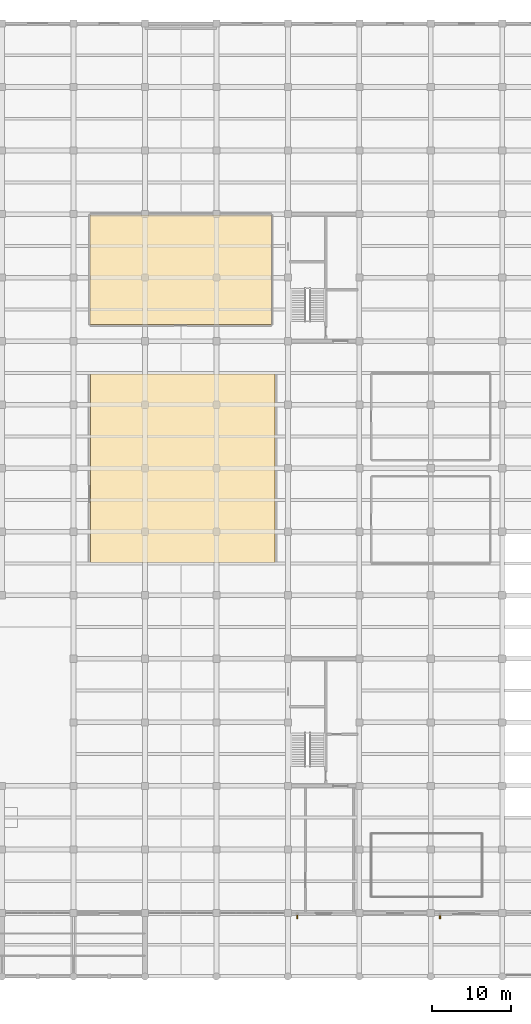
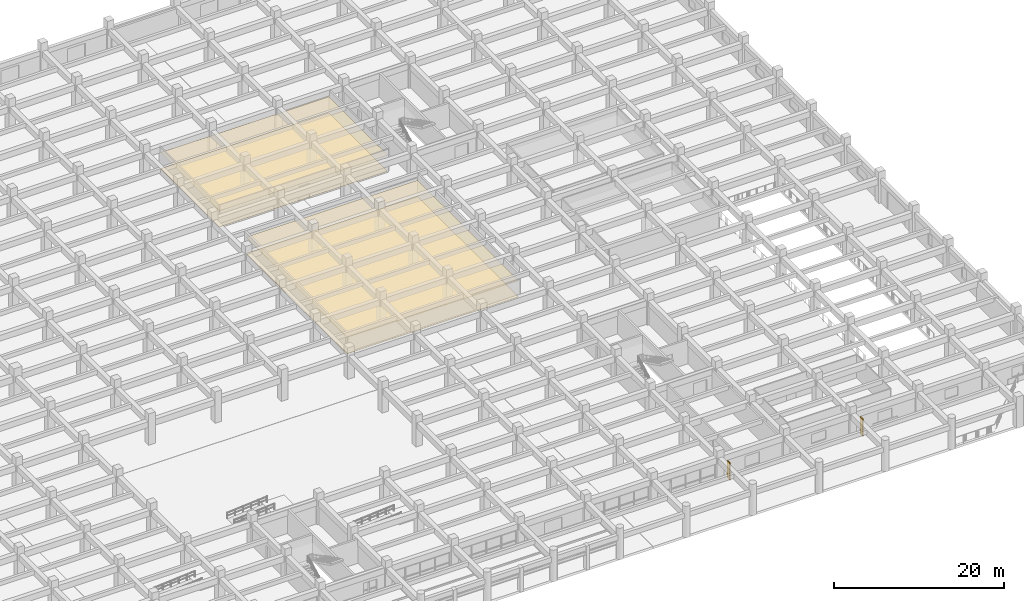
# One storey, part 37 of 40: 4 coverings, 2 shading devices.
"""IFC4 building model written with IfcOpenShell, lengths in metres."""

from ifc_helpers import new_model, si_unit, direction, frame, frame_2d, origin, place, context, subcontext, project, spatial, polyline, rectangle, outline, extrude, material, layer, layer_set, type_object, element, save


model = new_model("IFC4")

# Units and contexts
model_context = context("Model", 3, precision=1e-05, world=origin(), true_north=direction((0.0, 1.0)))
body_context = subcontext(model_context, "Body", "Model", "MODEL_VIEW")
ifc_project = project(units=[si_unit("LENGTHUNIT", "METRE"), si_unit("AREAUNIT", "SQUARE_METRE"), si_unit("VOLUMEUNIT", "CUBIC_METRE"), si_unit("PLANEANGLEUNIT", "RADIAN"), si_unit("MASSUNIT", "GRAM", prefix="KILO")], contexts=[model_context])

# Site, building, storey
site_placement = place(None, origin())
site = spatial("IfcSite", under=ifc_project, at=site_placement, CompositionType="ELEMENT")
building_placement = place(site_placement, origin())
building = spatial("IfcBuilding", under=site, at=building_placement, Name="Zaverband Oceanarium and Marine Research Institute", CompositionType="ELEMENT")
storey_placement = place(building_placement, origin())
storey = spatial("IfcBuildingStorey", under=building, at=storey_placement, Name="L00", CompositionType="ELEMENT", Elevation=0.0)

# Coverings
ifc_material_1 = material(Name="Perforated mineral-fibre acoustic ceiling tile")
ifc_layer_1 = layer(ifc_material_1, 0.02490234375, Name="Perforated mineral-fibre acoustic ceiling tile")
ifc_layer_set_1 = layer_set([ifc_layer_1], Name="Perforated mineral-fibre acoustic ceiling tile")
covering_type_1 = type_object("IfcCoveringType", Name="CLG-AC-15", PredefinedType="CEILING", material=ifc_layer_set_1)
covering_1_placement = place(storey_placement, frame((0.0, 0.0, 2.31005859375)))
element("IfcCovering", 1, at=covering_1_placement, inside=storey, type_object=covering_type_1, Name="Suspended acoustic ceiling CLG-AC-15", PredefinedType="CEILING", context=body_context, shape_type="SweptSolid", body=[
    extrude(outline(polyline([(110.1201171875, 52.1201171875), (133.3798828125, 52.1201171875), (133.3798828125, 75.8798828125), (110.1201171875, 75.8798828125), (110.1201171875, 52.1201171875)])), origin(), (0.0, 0.0, 1.0), 0.02490234375),
])
covering_2_placement = place(storey_placement, frame((0.0, 0.0, 2.31005859375)))
element("IfcCovering", 2, at=covering_2_placement, inside=storey, type_object=covering_type_1, Name="Suspended acoustic ceiling CLG-AC-15", PredefinedType="CEILING", context=body_context, shape_type="SweptSolid", body=[
    extrude(outline(polyline([(110.090087890625, 82.090087890625), (132.909912109375, 82.090087890625), (132.909912109375, 95.909912109375), (110.090087890625, 95.909912109375), (110.090087890625, 82.090087890625)])), origin(), (0.0, 0.0, 1.0), 0.02490234375),
])
ifc_material_2 = material(Name="Polished marine terrazzo and seamless laboratory epoxy flooring")
ifc_layer_2 = layer(ifc_material_2, 0.02490234375, Name="Polished marine terrazzo and seamless laboratory epoxy flooring")
ifc_layer_set_2 = layer_set([ifc_layer_2], Name="Polished marine terrazzo and seamless laboratory epoxy flooring")
covering_type_2 = type_object("IfcCoveringType", Name="FLR-TRZ-20", PredefinedType="FLOORING", material=ifc_layer_set_2)
covering_3_placement = place(storey_placement, origin())
element("IfcCovering", 3, at=covering_3_placement, inside=storey, type_object=covering_type_2, Name="Terrazzo and marine epoxy floor finish FLR-TRZ-20", PredefinedType="FLOORING", context=body_context, shape_type="SweptSolid", body=[
    extrude(outline(polyline([(110.1201171875, 52.1201171875), (133.3798828125, 52.1201171875), (133.3798828125, 75.8798828125), (110.1201171875, 75.8798828125), (110.1201171875, 52.1201171875)])), origin(), (0.0, 0.0, 1.0), 0.02490234375),
])
covering_4_placement = place(storey_placement, origin())
element("IfcCovering", 4, at=covering_4_placement, inside=storey, type_object=covering_type_2, Name="Terrazzo and marine epoxy floor finish FLR-TRZ-20", PredefinedType="FLOORING", context=body_context, shape_type="SweptSolid", body=[
    extrude(outline(polyline([(110.090087890625, 82.090087890625), (132.909912109375, 82.090087890625), (132.909912109375, 95.909912109375), (110.090087890625, 95.909912109375), (110.090087890625, 82.090087890625)])), origin(), (0.0, 0.0, 1.0), 0.02490234375),
])

# Shading devices
ifc_material_3 = material(Name="Concrete C40/50 precast brise-soleil", Category="concrete")
ifc_layer_3 = layer(ifc_material_3, 0.139892578125, Name="Concrete C40/50 precast brise-soleil")
ifc_layer_set_3 = layer_set([ifc_layer_3], Name="Concrete C40/50 precast brise-soleil")
shading_device_type = type_object("IfcShadingDeviceType", Name="SHD-FIN-600", PredefinedType="JALOUSIE", material=ifc_layer_set_3)
shading_device_1_placement = place(storey_placement, frame((136.155029296875, 7.887451171875, 0.0), z_axis=(0.0, 0.0, 1.0), x_axis=(0.0, -1.0, 0.0)))
element("IfcShadingDevice", 5, at=shading_device_1_placement, inside=storey, type_object=shading_device_type, Name="600 mm vertical precast brise-soleil fin SHD-FIN-600", PredefinedType="JALOUSIE", context=body_context, shape_type="SweptSolid", body=[
    extrude(rectangle(XDim=0.599853515625, YDim=0.139892578125, at=frame_2d((0.2998046875, 0.0))), origin(), (0.0, 0.0, 1.0), 2.43994140625),
])
shading_device_2_placement = place(storey_placement, frame((154.155029296875, 7.864990234375, 0.0), z_axis=(0.0, 0.0, 1.0), x_axis=(0.0, -1.0, 0.0)))
element("IfcShadingDevice", 6, at=shading_device_2_placement, inside=storey, type_object=shading_device_type, Name="600 mm vertical precast brise-soleil fin SHD-FIN-600", PredefinedType="JALOUSIE", context=body_context, shape_type="SweptSolid", body=[
    extrude(rectangle(XDim=0.60009765625, YDim=0.139892578125, at=frame_2d((0.300048828125, 0.0))), origin(), (0.0, 0.0, 1.0), 2.43994140625),
])

save(model, "model.ifc")
